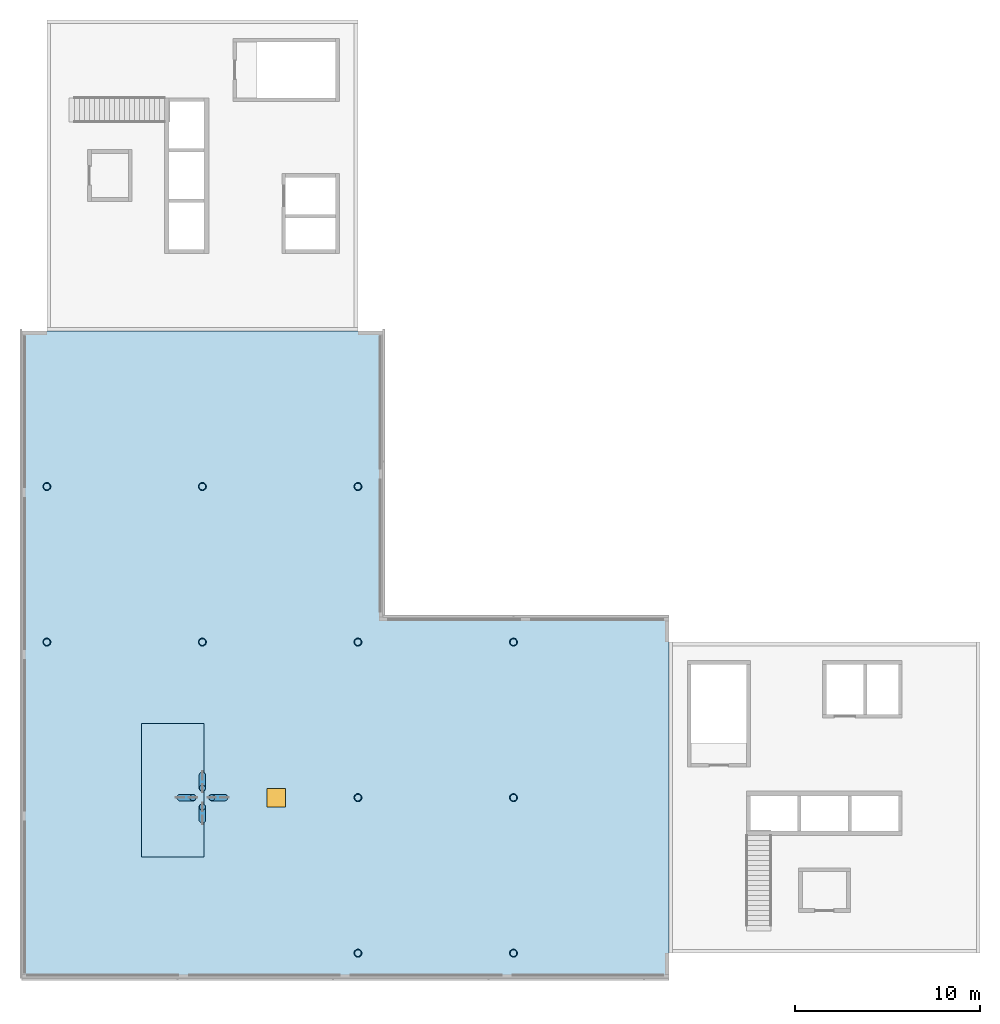
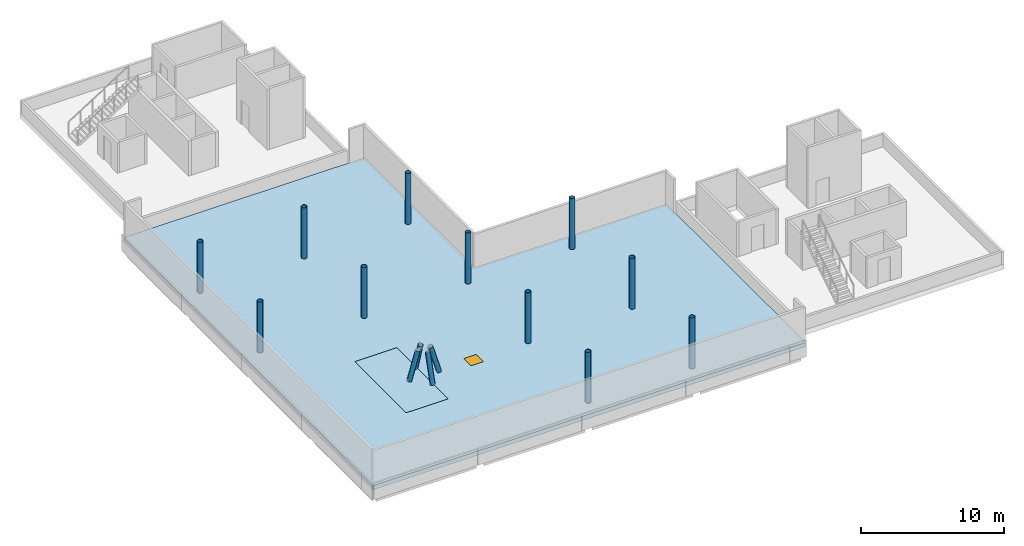
"""IFC4 building model written with IfcOpenShell, lengths in metres."""

from ifc_helpers import new_model, si_unit, direction, frame, origin, origin_2d, place, context, subcontext, project, spatial, polyline, rectangle, hollow_circle, outline, extrude, material, layer, layer_set, material_profile, profile_set, type_object, element, fill, save


model = new_model("IFC4")

# Units and contexts
model_context = context("Model", 3, precision=1e-05, world=origin(), true_north=direction((0.0, 1.0)))
body_context = subcontext(model_context, "Body", "Model", "MODEL_VIEW")
ifc_project = project(units=[si_unit("LENGTHUNIT", "METRE"), si_unit("AREAUNIT", "SQUARE_METRE"), si_unit("VOLUMEUNIT", "CUBIC_METRE"), si_unit("PLANEANGLEUNIT", "RADIAN"), si_unit("MASSUNIT", "GRAM", prefix="KILO")], contexts=[model_context])

# Site, building, storey
site_placement = place(None, origin())
site = spatial("IfcSite", under=ifc_project, at=site_placement, CompositionType="ELEMENT")
building_placement = place(site_placement, origin())
building = spatial("IfcBuilding", under=site, at=building_placement, Name="Vermilion Gate Residences", CompositionType="ELEMENT")
storey_1_placement = place(building_placement, frame((0.0, 0.0, 284.199951171875)))
storey_1 = spatial("IfcBuildingStorey", under=building, at=storey_1_placement, Name="ROOF", CompositionType="ELEMENT", Elevation=284.199951171875)

# Columns
ifc_material_1 = material(Name="Steel SM355", Category="steel")
ifc_material_profile_1 = material_profile(ifc_material_1, hollow_circle(Radius=0.203125, WallThickness=0.01611328125, at=origin_2d()), Name="CHS-406.4x16")
ifc_profile_set_1 = profile_set([ifc_material_profile_1], Name="Steel SM355")
column_type = type_object("IfcColumnType", Name="STEEL COLUMN CHS-406.4x16 SM355", PredefinedType="COLUMN", material=ifc_profile_set_1)
for number, where, z_axis, x_axis, name in (
    (1, (8.39990234375, 25.199951171875, 0.0), (0.0, 0.0, 1.0), (1.0, 0.0, 0.0), "Crown lid post north terrace 1-1"),
    (2, (8.39990234375, 33.60009765625, 0.0), (0.0, 0.0, 1.0), (1.0, 0.0, 0.0), "Crown lid post north terrace 1-2"),
    (3, (16.800048828125, 25.199951171875, 0.0), (0.0, 0.0, 1.0), (1.0, 0.0, 0.0), "Crown lid post north terrace 2-1"),
    (4, (16.800048828125, 33.60009765625, 0.0), (0.0, 0.0, 1.0), (1.0, 0.0, 0.0), "Crown lid post north terrace 2-2"),
    (5, (25.199951171875, 25.199951171875, 0.0), (0.0, 0.0, 1.0), (1.0, 0.0, 0.0), "Crown lid post north terrace 3-1"),
    (6, (25.199951171875, 33.60009765625, 0.0), (0.0, 0.0, 1.0), (1.0, 0.0, 0.0), "Crown lid post north terrace 3-2"),
    (7, (25.199951171875, 8.39990234375, 0.0), (0.0, 0.0, 1.0), (1.0, 0.0, 0.0), "Crown lid post east terrace 1-1"),
    (8, (33.60009765625, 8.39990234375, 0.0), (0.0, 0.0, 1.0), (1.0, 0.0, 0.0), "Crown lid post east terrace 1-2"),
    (9, (25.199951171875, 16.800048828125, 0.0), (0.0, 0.0, 1.0), (1.0, 0.0, 0.0), "Crown lid post east terrace 2-1"),
    (10, (33.60009765625, 16.800048828125, 0.0), (0.0, 0.0, 1.0), (1.0, 0.0, 0.0), "Crown lid post east terrace 2-2"),
    (11, (33.60009765625, 25.199951171875, 0.0), (0.0, 0.0, 1.0), (1.0, 0.0, 0.0), "Crown lid post east terrace 3-2"),
):
    element("IfcColumn", number, at=place(storey_1_placement, frame(where, z_axis=z_axis, x_axis=x_axis)), inside=storey_1, type_object=column_type, Name=name, PredefinedType="COLUMN", context=body_context, shape_type="SweptSolid", body=[
        extrude(hollow_circle(Radius=0.203125, WallThickness=0.01611328125, at=origin_2d()), origin(), (0.0, 0.0, 1.0), 4.35009765625),
    ])

# Members
ifc_material_2 = material(Name="Steel SM490", Category="steel")
ifc_material_profile_2 = material_profile(ifc_material_2, hollow_circle(Radius=0.177734375, WallThickness=0.0126953125, at=origin_2d()), Name="CHS-355.6x12.7")
ifc_profile_set_2 = profile_set([ifc_material_profile_2], Name="Steel SM490")
member_type = type_object("IfcMemberType", Name="STEEL MAST BRACE CHS-355.6x12.7 SM490", PredefinedType="BRACE", material=ifc_profile_set_2)
for number, where, z_axis, x_axis, name in (
    (12, (18.0, 16.800048828125, 0.04931640625), (-0.282344316026, 0.0, 0.959313133032), (0.0, -1.0, 0.0), "Mast brace 1"),
    (13, (16.800048828125, 18.0, 0.04931640625), (0.0, -0.282344316026, 0.959313133032), (1.0, 0.0, 0.0), "Mast brace 2"),
    (14, (15.60009765625, 16.800048828125, 0.04931640625), (0.282344316026, 0.0, 0.959313133032), (0.0, 1.0, 0.0), "Mast brace 3"),
    (15, (16.800048828125, 15.60009765625, 0.04931640625), (0.0, 0.282344316026, 0.959313133032), (-1.0, 0.0, 0.0), "Mast brace 4"),
):
    element("IfcMember", number, at=place(storey_1_placement, frame(where, z_axis=z_axis, x_axis=x_axis)), inside=storey_1, type_object=member_type, Name=name, PredefinedType="BRACE", context=body_context, shape_type="SweptSolid", body=[
        extrude(hollow_circle(Radius=0.177734375, WallThickness=0.0126953125, at=origin_2d()), origin(), (0.0, 0.0, 1.0), 2.450439453125),
    ])

# Slab, opening
ifc_material_3 = material(Name="Concrete C40", Category="concrete")
ifc_layer_1 = layer(ifc_material_3, 0.35009765625)
ifc_layer_set_1 = layer_set([ifc_layer_1], Name="RC CANOPY SLAB 350 C40")
slab_type_1 = type_object("IfcSlabType", Name="RC CANOPY SLAB 350 C40", PredefinedType="ROOF", material=ifc_layer_set_1)
slab_1_placement = place(storey_1_placement, frame((0.0, 0.0, -0.349853515625)))
slab_1 = element("IfcSlab", 16, at=slab_1_placement, inside=storey_1, type_object=slab_type_1, Name="Canopy slab", PredefinedType="ROOF", context=body_context, shape_type="SweptSolid", body=[
    extrude(outline(polyline([(7.050048828125, 42.0), (7.050048828125, 7.050048828125), (42.0, 7.050048828125), (42.0, 26.550048828125), (26.550048828125, 26.550048828125), (26.550048828125, 42.0), (7.050048828125, 42.0)]), holes=[polyline([(13.5, 13.60009765625), (13.5, 20.800048828125), (16.89990234375, 20.800048828125), (16.89990234375, 13.60009765625), (13.5, 13.60009765625)])]), origin(), (0.0, 0.0, 1.0), 0.349853515625),
])
opening_placement = place(slab_1_placement, frame((20.800048828125, 16.800048828125, 0.0)))
opening = element("IfcOpeningElement", 17, at=opening_placement, cuts=slab_1, Name="Opening WERF001", PredefinedType="OPENING", context=body_context, shape_type="SweptSolid", body=[
    extrude(rectangle(XDim=1.0, YDim=1.0, at=origin_2d()), origin(), (0.0, 0.0, 1.0), 0.349853515625),
])

# Storey
storey_2_placement = place(building_placement, frame((0.0, 0.0, 277.199951171875)))
storey_2 = spatial("IfcBuildingStorey", under=building, at=storey_2_placement, Name="L73", CompositionType="ELEMENT", Elevation=277.199951171875)

# Window
ifc_material_4 = material(Name="Aluminium and clear glass", Category="aluminium")
window_type = type_object("IfcWindowType", Name="ROOF ACCESS HATCH 1000 X 1000", PartitioningType="SINGLE_PANEL", PredefinedType="SKYLIGHT", material=ifc_material_4)
window_placement = place(opening_placement, frame((0.0, 0.0, 0.2998046875)))
window = element("IfcWindow", 18, at=window_placement, inside=storey_2, type_object=window_type, Name="ROOF ACCESS HATCH", OverallHeight=1.0, OverallWidth=1.0, PartitioningType="SINGLE_PANEL", PredefinedType="SKYLIGHT", context=body_context, shape_type="SweptSolid", body=[
    extrude(rectangle(XDim=1.0, YDim=1.0, at=origin_2d()), origin(), (0.0, 0.0, 1.0), 0.050048828125),
])

fill(opening, window)

# Slab
ifc_material_5 = material(Name="Concrete C50", Category="concrete")
ifc_layer_2 = layer(ifc_material_5, 0.35009765625)
ifc_layer_set_2 = layer_set([ifc_layer_2], Name="RC UPPER ROOF SLAB 350 C50")
slab_type_2 = type_object("IfcSlabType", Name="RC UPPER ROOF SLAB 350 C50", PredefinedType="ROOF", material=ifc_layer_set_2)
slab_2_placement = place(storey_1_placement, frame((0.0, 0.0, -0.349853515625)))
element("IfcSlab", 19, at=slab_2_placement, inside=storey_1, type_object=slab_type_2, Name="Apex stair roof slab", PredefinedType="ROOF", context=body_context, shape_type="SweptSolid", body=[
    extrude(outline(polyline([(16.89990234375, 13.60009765625), (16.89990234375, 20.800048828125), (13.5, 20.800048828125), (13.5, 13.60009765625), (16.89990234375, 13.60009765625)])), origin(), (0.0, 0.0, 1.0), 0.349853515625),
])

save(model, "model.ifc")
